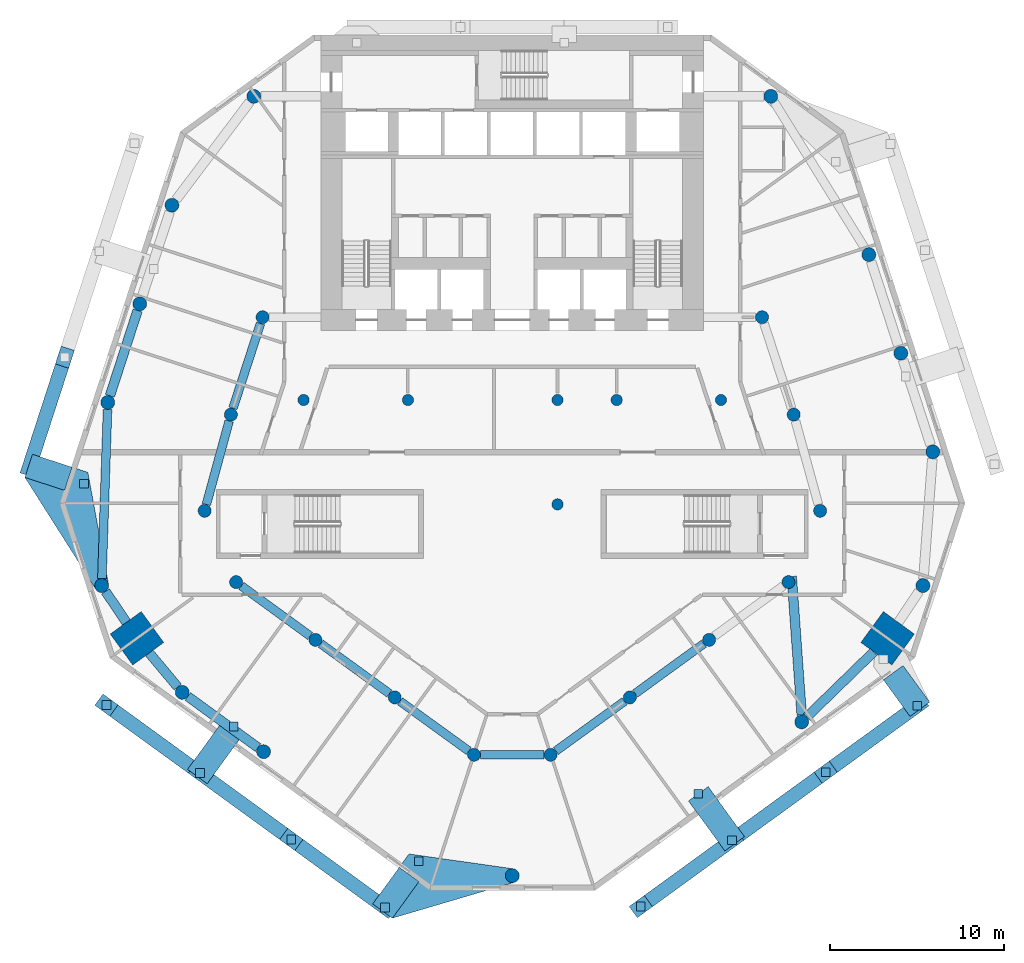
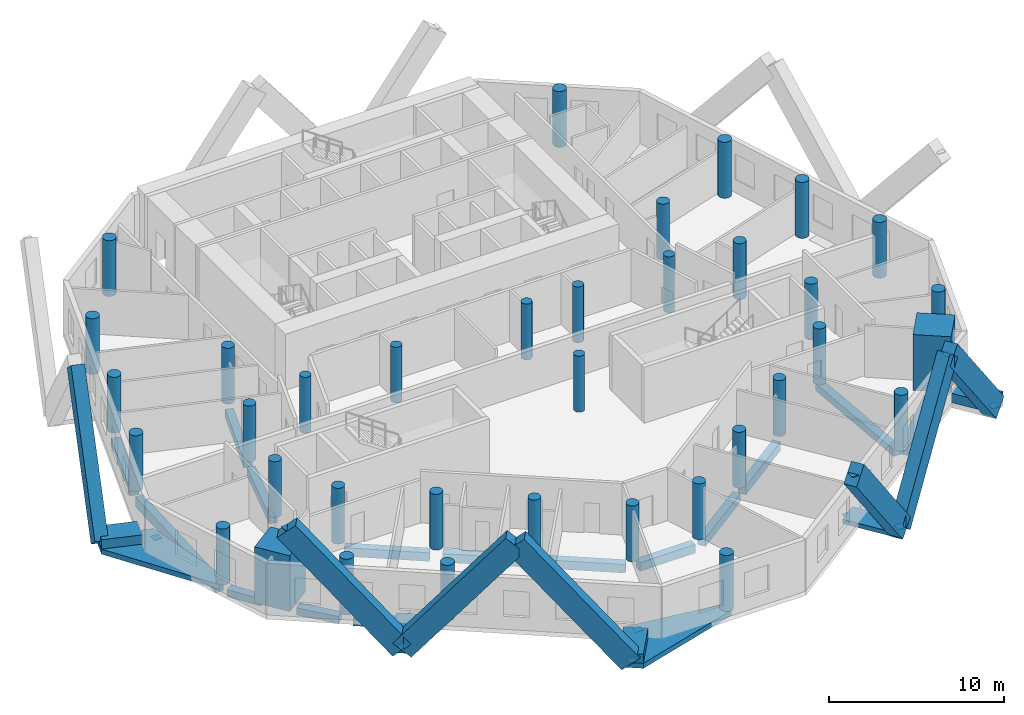
# One storey, part 1 of 10: 36 columns, 15 beams, 14 members, 12 discrete accessories.
"""IFC4 building model written with IfcOpenShell, lengths in metres."""

from ifc_helpers import new_model, si_unit, direction, frame, origin, origin_2d, place, context, subcontext, project, spatial, polyline, rectangle, circle, outline, extrude, material, layer, layer_set, material_profile, profile_set, type_object, element, aggregate, save


model = new_model("IFC4")

# Units and contexts
model_context = context("Model", 3, precision=1e-05, world=origin(), true_north=direction((0.0, 1.0)))
body_context = subcontext(model_context, "Body", "Model", "MODEL_VIEW")
ifc_project = project(units=[si_unit("LENGTHUNIT", "METRE"), si_unit("AREAUNIT", "SQUARE_METRE"), si_unit("VOLUMEUNIT", "CUBIC_METRE"), si_unit("PLANEANGLEUNIT", "RADIAN"), si_unit("MASSUNIT", "GRAM", prefix="KILO")], contexts=[model_context])

# Site, building, storey
site_placement = place(None, origin())
site = spatial("IfcSite", under=ifc_project, at=site_placement, CompositionType="ELEMENT")
building_placement = place(site_placement, origin())
building = spatial("IfcBuilding", under=site, at=building_placement, Name="White Candle Pilgrim Tower", CompositionType="ELEMENT")
storey_placement = place(building_placement, frame((0.0, 0.0, 78.0)))
storey = spatial("IfcBuildingStorey", under=building, at=storey_placement, Name="L16", CompositionType="ELEMENT", Elevation=78.0)

# Columns
ifc_material_1 = material(Name="Concrete C80/95", Category="concrete")
ifc_material_profile_1 = material_profile(ifc_material_1, circle(Radius=0.324951171875, at=origin_2d()), Name="RC-COL D650")
ifc_profile_set_1 = profile_set([ifc_material_profile_1], Name="Concrete C80/95")
column_type_1 = type_object("IfcColumnType", Name="Interior column RC-COL D650 C80/95", PredefinedType="COLUMN", material=ifc_profile_set_1)
for number, where, z_axis, x_axis, name in (
    (1, (58.0, 67.0, 0.0), (0.0, 0.0, 1.0), (1.0, 0.0, 0.0), "L16 column I01"),
    (2, (64.0, 67.0, 0.0), (0.0, 0.0, 1.0), (1.0, 0.0, 0.0), "L16 column I02"),
    (3, (72.60009765625, 61.0, 0.0), (0.0, 0.0, 1.0), (1.0, 0.0, 0.0), "L16 column I03"),
    (4, (72.60009765625, 67.0, 0.0), (0.0, 0.0, 1.0), (1.0, 0.0, 0.0), "L16 column I04"),
    (5, (76.0, 67.0, 0.0), (0.0, 0.0, 1.0), (1.0, 0.0, 0.0), "L16 column I05"),
    (6, (82.0, 67.0, 0.0), (0.0, 0.0, 1.0), (1.0, 0.0, 0.0), "L16 column I06"),
):
    element("IfcColumn", number, at=place(storey_placement, frame(where, z_axis=z_axis, x_axis=x_axis)), inside=storey, type_object=column_type_1, Name=name, PredefinedType="COLUMN", context=body_context, shape_type="SweptSolid", body=[
        extrude(circle(Radius=0.324951171875, at=origin_2d()), origin(), (0.0, 0.0, 1.0), 3.89990234375),
    ])
ifc_material_profile_2 = material_profile(ifc_material_1, rectangle(XDim=2.199951171875, YDim=2.199951171875, at=origin_2d()), Name="RC 2200x2200")
ifc_profile_set_2 = profile_set([ifc_material_profile_2], Name="Concrete C80/95")
column_type_2 = type_object("IfcColumnType", Name="Mega column RC 2200x2200 C80/95", PredefinedType="COLUMN", material=ifc_profile_set_2)
for number, where, z_axis, x_axis, name in (
    (7, (48.419921875, 53.300048828125, 0.0), (0.0, 0.0, 1.0), (-0.809016994375, -0.587785252292, 0.0), "L16 mega column T02"),
    (8, (91.580078125, 53.300048828125, 0.0), (0.0, 0.0, 1.0), (0.809016994375, -0.587785252292, 0.0), "L16 mega column T07"),
):
    element("IfcColumn", number, at=place(storey_placement, frame(where, z_axis=z_axis, x_axis=x_axis)), inside=storey, type_object=column_type_2, Name=name, PredefinedType="COLUMN", context=body_context, shape_type="SweptSolid", body=[
        extrude(rectangle(XDim=2.199951171875, YDim=2.199951171875, at=origin_2d()), origin(), (0.0, 0.0, 1.0), 3.89990234375),
    ])
ifc_material_profile_3 = material_profile(ifc_material_1, circle(Radius=0.39990234375, at=origin_2d()), Name="RC-COL D800")
ifc_profile_set_3 = profile_set([ifc_material_profile_3], Name="Concrete C80/95")
column_type_3 = type_object("IfcColumnType", Name="Perimeter column RC-COL D800 C80/95", PredefinedType="COLUMN", material=ifc_profile_set_3)
for number, where, z_axis, x_axis, name in (
    (9, (46.389892578125, 56.330078125, 0.0), (0.0, 0.0, 1.0), (1.0, 0.0, 0.0), "L16 column T01"),
    (10, (51.02001953125, 50.18994140625, 0.0), (0.0, 0.0, 1.0), (1.0, 0.0, 0.0), "L16 column T03"),
    (11, (55.699951171875, 46.780029296875, 0.0), (0.0, 0.0, 1.0), (1.0, 0.0, 0.0), "L16 column T04"),
    (12, (70.0, 39.64990234375, 0.0), (0.0, 0.0, 1.0), (1.0, 0.0, 0.0), "L16 column T05"),
    (13, (86.639892578125, 48.489990234375, 0.0), (0.0, 0.0, 1.0), (1.0, 0.0, 0.0), "L16 column T06"),
    (14, (93.610107421875, 56.330078125, 0.0), (0.0, 0.0, 1.0), (1.0, 0.0, 0.0), "L16 column T08"),
    (15, (94.179931640625, 64.02001953125, 0.0), (0.0, 0.0, 1.0), (1.0, 0.0, 0.0), "L16 column T09"),
    (16, (92.340087890625, 69.68994140625, 0.0), (0.0, 0.0, 1.0), (1.0, 0.0, 0.0), "L16 column T10"),
    (17, (90.5, 75.360107421875, 0.0), (0.0, 0.0, 1.0), (1.0, 0.0, 0.0), "L16 column T11"),
    (18, (84.860107421875, 84.4599609375, 0.0), (0.0, 0.0, 1.0), (1.0, 0.0, 0.0), "L16 column T12"),
    (19, (55.139892578125, 84.4599609375, 0.0), (0.0, 0.0, 1.0), (1.0, 0.0, 0.0), "L16 column T13"),
    (20, (50.429931640625, 78.199951171875, 0.0), (0.0, 0.0, 1.0), (1.0, 0.0, 0.0), "L16 column T14"),
    (21, (48.580078125, 72.530029296875, 0.0), (0.0, 0.0, 1.0), (1.0, 0.0, 0.0), "L16 column T15"),
    (22, (46.739990234375, 66.860107421875, 0.0), (0.0, 0.0, 1.0), (1.0, 0.0, 0.0), "L16 column T16"),
):
    element("IfcColumn", number, at=place(storey_placement, frame(where, z_axis=z_axis, x_axis=x_axis)), inside=storey, type_object=column_type_3, Name=name, PredefinedType="COLUMN", context=body_context, shape_type="SweptSolid", body=[
        extrude(circle(Radius=0.39990234375, at=origin_2d()), origin(), (0.0, 0.0, 1.0), 3.89990234375),
    ])
ifc_material_profile_4 = material_profile(ifc_material_1, circle(Radius=0.375, at=origin_2d()), Name="RC-COL D750")
ifc_profile_set_4 = profile_set([ifc_material_profile_4], Name="Concrete C80/95")
column_type_4 = type_object("IfcColumnType", Name="Ring column RC-COL D750 C80/95", PredefinedType="COLUMN", material=ifc_profile_set_4)
for number, where, z_axis, x_axis, name in (
    (23, (52.31005859375, 60.6298828125, 0.0), (0.0, 0.0, 1.0), (1.0, 0.0, 0.0), "L16 column R01"),
    (24, (54.1201171875, 56.530029296875, 0.0), (0.0, 0.0, 1.0), (1.0, 0.0, 0.0), "L16 column R02"),
    (25, (58.679931640625, 53.2099609375, 0.0), (0.0, 0.0, 1.0), (1.0, 0.0, 0.0), "L16 column R03"),
    (26, (63.239990234375, 49.89990234375, 0.0), (0.0, 0.0, 1.0), (1.0, 0.0, 0.0), "L16 column R04"),
    (27, (67.800048828125, 46.60009765625, 0.0), (0.0, 0.0, 1.0), (1.0, 0.0, 0.0), "L16 column R05"),
    (28, (72.199951171875, 46.60009765625, 0.0), (0.0, 0.0, 1.0), (1.0, 0.0, 0.0), "L16 column R06"),
    (29, (76.760009765625, 49.89990234375, 0.0), (0.0, 0.0, 1.0), (1.0, 0.0, 0.0), "L16 column R07"),
    (30, (81.320068359375, 53.2099609375, 0.0), (0.0, 0.0, 1.0), (1.0, 0.0, 0.0), "L16 column R08"),
    (31, (85.8798828125, 56.530029296875, 0.0), (0.0, 0.0, 1.0), (1.0, 0.0, 0.0), "L16 column R09"),
    (32, (87.699951171875, 60.6298828125, 0.0), (0.0, 0.0, 1.0), (1.0, 0.0, 0.0), "L16 column R10"),
    (33, (86.179931640625, 66.159912109375, 0.0), (0.0, 0.0, 1.0), (1.0, 0.0, 0.0), "L16 column R11"),
    (34, (84.360107421875, 71.760009765625, 0.0), (0.0, 0.0, 1.0), (1.0, 0.0, 0.0), "L16 column R12"),
    (35, (55.639892578125, 71.760009765625, 0.0), (0.0, 0.0, 1.0), (1.0, 0.0, 0.0), "L16 column R13"),
    (36, (53.820068359375, 66.159912109375, 0.0), (0.0, 0.0, 1.0), (1.0, 0.0, 0.0), "L16 column R14"),
):
    element("IfcColumn", number, at=place(storey_placement, frame(where, z_axis=z_axis, x_axis=x_axis)), inside=storey, type_object=column_type_4, Name=name, PredefinedType="COLUMN", context=body_context, shape_type="SweptSolid", body=[
        extrude(circle(Radius=0.375, at=origin_2d()), origin(), (0.0, 0.0, 1.0), 3.89990234375),
    ])

# Member
ifc_material_2 = material(Name="Concrete C80/95, white", Category="concrete")
ifc_material_profile_5 = material_profile(ifc_material_2, rectangle(XDim=0.800048828125, YDim=1.39990234375, at=origin_2d()), Name="RC-DG 800x1400")
ifc_profile_set_5 = profile_set([ifc_material_profile_5], Name="Concrete C80/95, white")
member_type_1 = type_object("IfcMemberType", Name="Exoskeleton diagonal RC-DG 800x1400 C80/95", PredefinedType="BRACE", material=ifc_profile_set_5)
member_1_placement = place(storey_placement, frame((82.6376953125, 41.685546875, 0.0), z_axis=(-0.517306922547, -0.375827233412, 0.768861130836), x_axis=(0.587766575612, -0.809030563448, 0.0)))
member_1 = element("IfcMember", 37, at=member_1_placement, inside=storey, type_object=member_type_1, Name="Exoskeleton diagonal EX034", PredefinedType="BRACE", context=body_context, shape_type="SweptSolid", body=[
    extrude(rectangle(XDim=0.800048828125, YDim=1.39990234375, at=origin_2d()), origin(), (0.0, 0.0, 1.0), 10.14501953125),
])

member_2_placement = place(storey_placement, frame((82.6376953125, 41.685546875, 0.0), z_axis=(0.525116962729, 0.381515783704, 0.760721948046), x_axis=(-0.58778119674, 0.809019940891, 0.0)))
member_2 = element("IfcMember", 38, at=member_2_placement, inside=storey, type_object=member_type_1, Name="Exoskeleton diagonal EX035", PredefinedType="BRACE", context=body_context, shape_type="SweptSolid", body=[
    extrude(rectangle(XDim=0.800048828125, YDim=1.39990234375, at=origin_2d()), origin(), (0.0, 0.0, 1.0), 10.25341796875),
])

member_3_placement = place(storey_placement, frame((93.284423828125, 49.4208984375, 0.0), z_axis=(-0.518139525382, -0.376459434331, 0.767990707327), x_axis=(0.587794484095, -0.809010286997, 0.0)))
member_3 = element("IfcMember", 39, at=member_3_placement, inside=storey, type_object=member_type_1, Name="Exoskeleton diagonal EX036", PredefinedType="BRACE", context=body_context, shape_type="SweptSolid", body=[
    extrude(rectangle(XDim=0.800048828125, YDim=1.39990234375, at=origin_2d()), origin(), (0.0, 0.0, 1.0), 10.156494140625),
])

member_4_placement = place(storey_placement, frame((52.038818359375, 45.55322265625, 0.0), z_axis=(-0.524686941012, 0.381215808161, 0.761168917876), x_axis=(-0.587793761303, -0.809010812148, 0.0)))
member_4 = element("IfcMember", 40, at=member_4_placement, inside=storey, type_object=member_type_1, Name="Exoskeleton diagonal EX046", PredefinedType="BRACE", context=body_context, shape_type="SweptSolid", body=[
    extrude(rectangle(XDim=0.800048828125, YDim=1.39990234375, at=origin_2d()), origin(), (0.0, 0.0, 1.0), 10.24755859375),
])

member_5_placement = place(storey_placement, frame((52.038818359375, 45.55322265625, 0.0), z_axis=(0.517732381868, -0.376141258015, 0.768421066073), x_axis=(0.58777161318, 0.809026903594, 0.0)))
member_5 = element("IfcMember", 41, at=member_5_placement, inside=storey, type_object=member_type_1, Name="Exoskeleton diagonal EX047", PredefinedType="BRACE", context=body_context, shape_type="SweptSolid", body=[
    extrude(rectangle(XDim=0.800048828125, YDim=1.39990234375, at=origin_2d()), origin(), (0.0, 0.0, 1.0), 10.150634765625),
])

member_6_placement = place(storey_placement, frame((62.685546875, 37.818115234375, 0.0), z_axis=(-0.525516556375, 0.38180444824, 0.760301066867), x_axis=(-0.587779529971, -0.809021151854, 0.0)))
member_6 = element("IfcMember", 42, at=member_6_placement, inside=storey, type_object=member_type_1, Name="Exoskeleton diagonal EX048", PredefinedType="BRACE", context=body_context, shape_type="SweptSolid", body=[
    extrude(rectangle(XDim=0.800048828125, YDim=1.39990234375, at=origin_2d()), origin(), (0.0, 0.0, 1.0), 10.25927734375),
])

member_7_placement = place(storey_placement, frame((42.239501953125, 63.197021484375, 0.0), z_axis=(0.199353448094, 0.613581024203, 0.764052700716), x_axis=(-0.951061578071, 0.309001415396, 0.0)))
element("IfcMember", 43, at=member_7_placement, inside=storey, type_object=member_type_1, Name="Exoskeleton diagonal EX060", PredefinedType="BRACE", context=body_context, shape_type="SweptSolid", body=[
    extrude(rectangle(XDim=0.800048828125, YDim=1.39990234375, at=origin_2d()), origin(), (0.0, 0.0, 1.0), 10.208740234375),
])

ifc_material_3 = material(Name="Concrete C70/85, white", Category="concrete")
ifc_layer_1 = layer(ifc_material_3, 0.300048828125)
ifc_layer_set_1 = layer_set([ifc_layer_1], Name="Node tie strut 3350x1400x300 C70/85")
member_type_2 = type_object("IfcMemberType", Name="Node tie strut 3350x1400x300 C70/85", PredefinedType="STRUT", material=ifc_layer_set_1)
member_8_placement = place(storey_placement, frame((0.0, 0.0, -0.35009765625)))
member_8 = element("IfcMember", 44, at=member_8_placement, inside=storey, type_object=member_type_2, Name="Node tie strut NC040", PredefinedType="STRUT", context=body_context, shape_type="SweptSolid", body=[
    extrude(outline(polyline([(46.057373046875, 56.10791015625), (46.043701171875, 56.1298828125), (46.03125, 56.153076171875), (46.0205078125, 56.177001953125), (46.01123046875, 56.201416015625), (46.003662109375, 56.2265625), (45.997802734375, 56.251953125), (45.993408203125, 56.27783203125), (45.990966796875, 56.3037109375), (45.989990234375, 56.330078125), (45.990966796875, 56.356201171875), (45.993408203125, 56.382080078125), (45.997802734375, 56.407958984375), (46.003662109375, 56.43359375), (46.01123046875, 56.45849609375), (46.0205078125, 56.483154296875), (46.03125, 56.5068359375), (46.043701171875, 56.530029296875), (46.057373046875, 56.55224609375), (46.07275390625, 56.573486328125), (46.08935546875, 56.59375), (46.107177734375, 56.61279296875), (46.126220703125, 56.630615234375), (46.146484375, 56.647216796875), (46.167724609375, 56.66259765625), (46.18994140625, 56.676513671875), (46.213134765625, 56.688720703125), (46.23681640625, 56.69970703125), (46.261474609375, 56.708740234375), (46.28662109375, 56.71630859375), (46.31201171875, 56.722412109375), (46.337890625, 56.7265625), (46.36376953125, 56.72900390625), (46.389892578125, 56.72998046875), (46.416259765625, 56.72900390625), (46.442138671875, 56.7265625), (46.468017578125, 56.722412109375), (46.493408203125, 56.71630859375), (46.5185546875, 56.708740234375), (46.543212890625, 56.69970703125), (46.56689453125, 56.688720703125), (46.590087890625, 56.676513671875), (46.6123046875, 56.66259765625), (46.633544921875, 56.647216796875), (46.65380859375, 56.630615234375), (46.6728515625, 56.61279296875), (46.690673828125, 56.59375), (46.707275390625, 56.573486328125), (46.72265625, 56.55224609375), (46.736328125, 56.530029296875), (46.748779296875, 56.5068359375), (46.759521484375, 56.483154296875), (46.768798828125, 56.45849609375), (46.7763671875, 56.43359375), (46.7822265625, 56.407958984375), (45.59423828125, 62.843017578125), (42.408203125, 63.878173828125), (41.9755859375, 62.546875), (46.057373046875, 56.10791015625)])), origin(), (0.0, 0.0, 1.0), 0.35009765625),
])

member_9_placement = place(storey_placement, origin())
element("IfcMember", 45, at=member_9_placement, inside=storey, type_object=member_type_2, Name="Node tie strut NC040", PredefinedType="STRUT", context=body_context, shape_type="SweptSolid", body=[
    extrude(outline(polyline([(44.258056640625, 61.80517578125), (44.690673828125, 63.13671875), (42.408203125, 63.878173828125), (41.9755859375, 62.546875), (44.258056640625, 61.80517578125)])), origin(), (0.0, 0.0, 1.0), 0.64990234375),
])

ifc_layer_2 = layer(ifc_material_3, 0.300048828125)
ifc_layer_set_2 = layer_set([ifc_layer_2], Name="Node tie strut 3550x1400x300 C70/85")
member_type_3 = type_object("IfcMemberType", Name="Node tie strut 3550x1400x300 C70/85", PredefinedType="STRUT", material=ifc_layer_set_2)
member_10_placement = place(storey_placement, frame((81.741455078125, 42.91943359375, -0.2998046875), z_axis=(0.0, 0.0, 1.0), x_axis=(0.809016994375, 0.587785252292, 0.0)))
member_10 = element("IfcMember", 46, at=member_10_placement, inside=storey, type_object=member_type_3, Name="Node tie strut NC035", PredefinedType="STRUT", context=body_context, shape_type="SweptSolid", body=[
    extrude(rectangle(XDim=1.39990234375, YDim=3.550048828125, at=origin_2d()), origin(), (0.0, 0.0, 1.0), 0.300048828125),
])

member_11_placement = place(storey_placement, origin())
element("IfcMember", 47, at=member_11_placement, inside=storey, type_object=member_type_3, Name="Node tie strut NC036", PredefinedType="STRUT", context=body_context, shape_type="SweptSolid", body=[
    extrude(outline(polyline([(92.864990234375, 48.80712890625), (93.99755859375, 49.6298828125), (92.469482421875, 51.7333984375), (91.3369140625, 50.91064453125), (92.864990234375, 48.80712890625)])), origin(), (0.0, 0.0, 1.0), 0.64990234375),
])

member_12_placement = place(storey_placement, frame((52.935302734375, 46.787109375, -0.2998046875), z_axis=(0.0, 0.0, 1.0), x_axis=(0.809016994375, -0.587785252292, 0.0)))
member_12 = element("IfcMember", 48, at=member_12_placement, inside=storey, type_object=member_type_3, Name="Node tie strut NC037", PredefinedType="STRUT", context=body_context, shape_type="SweptSolid", body=[
    extrude(rectangle(XDim=1.39990234375, YDim=3.550048828125, at=origin_2d()), origin(), (0.0, 0.0, 1.0), 0.300048828125),
])

member_13_placement = place(storey_placement, frame((0.0, 0.0, -0.35009765625)))
member_13 = element("IfcMember", 49, at=member_13_placement, inside=storey, type_object=member_type_3, Name="Node tie strut NC038", PredefinedType="STRUT", context=body_context, shape_type="SweptSolid", body=[
    extrude(outline(polyline([(63.10498046875, 37.204345703125), (70.103515625, 39.263671875), (70.077880859375, 39.2578125), (70.05224609375, 39.25341796875), (70.026123046875, 39.2509765625), (70.0, 39.25), (69.973876953125, 39.2509765625), (69.94775390625, 39.25341796875), (69.922119140625, 39.2578125), (69.896484375, 39.263671875), (69.871337890625, 39.271240234375), (69.846923828125, 39.280517578125), (69.822998046875, 39.291259765625), (69.800048828125, 39.3037109375), (69.77783203125, 39.3173828125), (69.756591796875, 39.332763671875), (69.736328125, 39.349365234375), (69.71728515625, 39.3671875), (69.69921875, 39.38623046875), (69.6826171875, 39.406494140625), (69.66748046875, 39.427734375), (69.653564453125, 39.449951171875), (69.641357421875, 39.47314453125), (69.63037109375, 39.496826171875), (69.62109375, 39.521484375), (69.613525390625, 39.54638671875), (69.607666015625, 39.572021484375), (69.603515625, 39.597900390625), (69.600830078125, 39.623779296875), (69.60009765625, 39.64990234375), (69.600830078125, 39.67626953125), (69.603515625, 39.7021484375), (69.607666015625, 39.72802734375), (69.613525390625, 39.75341796875), (69.62109375, 39.778564453125), (69.63037109375, 39.802978515625), (69.641357421875, 39.826904296875), (69.653564453125, 39.85009765625), (69.66748046875, 39.872314453125), (69.6826171875, 39.8935546875), (69.69921875, 39.913818359375), (69.71728515625, 39.932861328125), (69.736328125, 39.95068359375), (69.756591796875, 39.96728515625), (69.77783203125, 39.982666015625), (69.800048828125, 39.996337890625), (69.822998046875, 40.0087890625), (69.846923828125, 40.01953125), (69.871337890625, 40.02880859375), (69.896484375, 40.036376953125), (69.922119140625, 40.042236328125), (69.94775390625, 40.046630859375), (69.973876953125, 40.049072265625), (70.0, 40.050048828125), (70.026123046875, 40.049072265625), (70.05224609375, 40.046630859375), (64.058837890625, 40.8994140625), (61.972412109375, 38.027099609375), (63.10498046875, 37.204345703125)])), origin(), (0.0, 0.0, 1.0), 0.35009765625),
])

member_14_placement = place(storey_placement, origin())
element("IfcMember", 50, at=member_14_placement, inside=storey, type_object=member_type_3, Name="Node tie strut NC038", PredefinedType="STRUT", context=body_context, shape_type="SweptSolid", body=[
    extrude(outline(polyline([(63.10498046875, 37.204345703125), (64.633056640625, 39.307861328125), (63.50048828125, 40.130615234375), (61.972412109375, 38.027099609375), (63.10498046875, 37.204345703125)])), origin(), (0.0, 0.0, 1.0), 0.64990234375),
])

# Beams
ifc_material_4 = material(Name="Concrete C50/60", Category="concrete")
ifc_material_profile_6 = material_profile(ifc_material_4, rectangle(XDim=0.5, YDim=0.60009765625, at=origin_2d()), Name="RC-BM 500x600")
ifc_profile_set_6 = profile_set([ifc_material_profile_6], Name="Concrete C50/60")
beam_type_1 = type_object("IfcBeamType", Name="Ring beam RC-BM 500x600 C50/60", PredefinedType="BEAM", material=ifc_profile_set_6)
beam_1_placement = place(storey_placement, frame((54.423095703125, 56.309326171875, -0.60009765625), z_axis=(0.808431607518, -0.58859012561, 0.0), x_axis=(0.58859012561, 0.808431607518, 0.0)))
element("IfcBeam", 51, at=beam_1_placement, inside=storey, type_object=beam_type_1, Name="L16 ring beam R01", PredefinedType="BEAM", context=body_context, shape_type="SweptSolid", body=[
    extrude(rectangle(XDim=0.5, YDim=0.60009765625, at=origin_2d()), origin(), (0.0, 0.0, 1.0), 4.890869140625),
])
beam_2_placement = place(storey_placement, frame((58.9833984375, 52.98974609375, -0.60009765625), z_axis=(0.809276033964, -0.587428549572, 0.0), x_axis=(0.587428549572, 0.809276033964, 0.0)))
element("IfcBeam", 52, at=beam_2_placement, inside=storey, type_object=beam_type_1, Name="L16 ring beam R02", PredefinedType="BEAM", context=body_context, shape_type="SweptSolid", body=[
    extrude(rectangle(XDim=0.5, YDim=0.60009765625, at=origin_2d()), origin(), (0.0, 0.0, 1.0), 4.885009765625),
])
beam_3_placement = place(storey_placement, frame((63.543701171875, 49.680419921875, -0.60009765625), z_axis=(0.810079795278, -0.586319644291, 0.0), x_axis=(0.586319644291, 0.810079795278, 0.0)))
element("IfcBeam", 53, at=beam_3_placement, inside=storey, type_object=beam_type_1, Name="L16 ring beam R03", PredefinedType="BEAM", context=body_context, shape_type="SweptSolid", body=[
    extrude(rectangle(XDim=0.5, YDim=0.60009765625, at=origin_2d()), origin(), (0.0, 0.0, 1.0), 4.87939453125),
])
beam_4_placement = place(storey_placement, frame((68.175048828125, 46.60009765625, -0.60009765625), z_axis=(1.0, 0.0, 0.0), x_axis=(0.0, 1.0, 0.0)))
element("IfcBeam", 54, at=beam_4_placement, inside=storey, type_object=beam_type_1, Name="L16 ring beam R04", PredefinedType="BEAM", context=body_context, shape_type="SweptSolid", body=[
    extrude(rectangle(XDim=0.5, YDim=0.60009765625, at=origin_2d()), origin(), (0.0, 0.0, 1.0), 3.64990234375),
])
beam_5_placement = place(storey_placement, frame((72.503662109375, 46.819580078125, -0.60009765625), z_axis=(0.810079795278, 0.586319644291, 0.0), x_axis=(-0.586319644291, 0.810079795278, 0.0)))
element("IfcBeam", 55, at=beam_5_placement, inside=storey, type_object=beam_type_1, Name="L16 ring beam R05", PredefinedType="BEAM", context=body_context, shape_type="SweptSolid", body=[
    extrude(rectangle(XDim=0.5, YDim=0.60009765625, at=origin_2d()), origin(), (0.0, 0.0, 1.0), 4.87939453125),
])
beam_6_placement = place(storey_placement, frame((77.063232421875, 50.1201171875, -0.60009765625), z_axis=(0.809276033964, 0.587428549572, 0.0), x_axis=(-0.587428549572, 0.809276033964, 0.0)))
element("IfcBeam", 56, at=beam_6_placement, inside=storey, type_object=beam_type_1, Name="L16 ring beam R06", PredefinedType="BEAM", context=body_context, shape_type="SweptSolid", body=[
    extrude(rectangle(XDim=0.5, YDim=0.60009765625, at=origin_2d()), origin(), (0.0, 0.0, 1.0), 4.885009765625),
])
beam_7_placement = place(storey_placement, frame((55.524169921875, 71.403564453125, -0.60009765625), z_axis=(-0.309106483996, -0.9510274347, 0.0), x_axis=(0.9510274347, -0.309106483996, 0.0)))
element("IfcBeam", 57, at=beam_7_placement, inside=storey, type_object=beam_type_1, Name="L16 ring beam R12", PredefinedType="BEAM", context=body_context, shape_type="SweptSolid", body=[
    extrude(rectangle(XDim=0.5, YDim=0.60009765625, at=origin_2d()), origin(), (0.0, 0.0, 1.0), 5.138671875),
])
beam_8_placement = place(storey_placement, frame((53.72119140625, 65.79833984375, -0.60009765625), z_axis=(-0.263415907103, -0.964682362172, 0.0), x_axis=(0.964682362172, -0.263415907103, 0.0)))
element("IfcBeam", 58, at=beam_8_placement, inside=storey, type_object=beam_type_1, Name="L16 ring beam R13", PredefinedType="BEAM", context=body_context, shape_type="SweptSolid", body=[
    extrude(rectangle(XDim=0.5, YDim=0.60009765625, at=origin_2d()), origin(), (0.0, 0.0, 1.0), 4.982666015625),
])
ifc_material_profile_7 = material_profile(ifc_material_4, rectangle(XDim=0.5, YDim=0.699951171875, at=origin_2d()), Name="RC-BM 500x700")
ifc_profile_set_7 = profile_set([ifc_material_profile_7], Name="Concrete C50/60")
beam_type_2 = type_object("IfcBeamType", Name="Spandrel beam RC-BM 500x700 C50/60", PredefinedType="BEAM", material=ifc_profile_set_7)
beam_9_placement = place(storey_placement, frame((46.726806640625, 66.46044921875, -0.64990234375), z_axis=(-0.033224659514, -0.999447908598, 0.0), x_axis=(0.999447908598, -0.033224659514, 0.0)))
element("IfcBeam", 59, at=beam_9_placement, inside=storey, type_object=beam_type_2, Name="L16 spandrel beam T16", PredefinedType="BEAM", context=body_context, shape_type="SweptSolid", body=[
    extrude(rectangle(XDim=0.5, YDim=0.699951171875, at=origin_2d()), origin(), (0.0, 0.0, 1.0), 9.736328125),
])
ifc_material_profile_8 = material_profile(ifc_material_4, rectangle(XDim=0.550048828125, YDim=0.5, at=origin_2d()), Name="RC-BM 550x500")
ifc_profile_set_8 = profile_set([ifc_material_profile_8], Name="Concrete C50/60")
beam_type_3 = type_object("IfcBeamType", Name="Spandrel beam RC-BM 550x500 C50/60", PredefinedType="BEAM", material=ifc_profile_set_8)
beam_10_placement = place(storey_placement, frame((46.612548828125, 55.997802734375, -0.550048828125), z_axis=(0.556641005169, -0.830753147069, 0.0), x_axis=(0.830753147069, 0.556641005169, 0.0)))
element("IfcBeam", 60, at=beam_10_placement, inside=storey, type_object=beam_type_3, Name="L16 spandrel beam T01", PredefinedType="BEAM", context=body_context, shape_type="SweptSolid", body=[
    extrude(rectangle(XDim=0.550048828125, YDim=0.5, at=origin_2d()), origin(), (0.0, 0.0, 1.0), 2.146484375),
])
beam_11_placement = place(storey_placement, frame((49.127197265625, 52.4541015625, -0.550048828125), z_axis=(0.641388324436, -0.767216408373, 0.0), x_axis=(0.767216408373, 0.641388324436, 0.0)))
element("IfcBeam", 61, at=beam_11_placement, inside=storey, type_object=beam_type_3, Name="L16 spandrel beam T02", PredefinedType="BEAM", context=body_context, shape_type="SweptSolid", body=[
    extrude(rectangle(XDim=0.550048828125, YDim=0.5, at=origin_2d()), origin(), (0.0, 0.0, 1.0), 2.551513671875),
])
beam_12_placement = place(storey_placement, frame((51.343017578125, 49.95458984375, -0.550048828125), z_axis=(0.808217539001, -0.588884037525, 0.0), x_axis=(0.588884037525, 0.808217539001, 0.0)))
element("IfcBeam", 62, at=beam_12_placement, inside=storey, type_object=beam_type_3, Name="L16 spandrel beam T03", PredefinedType="BEAM", context=body_context, shape_type="SweptSolid", body=[
    extrude(rectangle(XDim=0.550048828125, YDim=0.5, at=origin_2d()), origin(), (0.0, 0.0, 1.0), 4.9912109375),
])
beam_13_placement = place(storey_placement, frame((86.639892578125, 48.889892578125, -0.550048828125), z_axis=(-0.071694624988, 0.997426629255, 0.0), x_axis=(-0.997426629255, -0.071694624988, 0.0)))
element("IfcBeam", 63, at=beam_13_placement, inside=storey, type_object=beam_type_3, Name="L16 spandrel beam T04", PredefinedType="BEAM", context=body_context, shape_type="SweptSolid", body=[
    extrude(rectangle(XDim=0.550048828125, YDim=0.5, at=origin_2d()), origin(), (0.0, 0.0, 1.0), 7.9853515625),
])
beam_14_placement = place(storey_placement, frame((86.926513671875, 48.768798828125, -0.550048828125), z_axis=(0.716462232914, 0.697625880259, 0.0), x_axis=(-0.697625880259, 0.716462232914, 0.0)))
element("IfcBeam", 64, at=beam_14_placement, inside=storey, type_object=beam_type_3, Name="L16 spandrel beam T05", PredefinedType="BEAM", context=body_context, shape_type="SweptSolid", body=[
    extrude(rectangle(XDim=0.550048828125, YDim=0.5, at=origin_2d()), origin(), (0.0, 0.0, 1.0), 5.37890625),
])
beam_15_placement = place(storey_placement, frame((48.45654296875, 72.149658203125, -0.550048828125), z_axis=(-0.308682827488, -0.951165028801, 0.0), x_axis=(0.951165028801, -0.308682827488, 0.0)))
element("IfcBeam", 65, at=beam_15_placement, inside=storey, type_object=beam_type_3, Name="L16 spandrel beam T15", PredefinedType="BEAM", context=body_context, shape_type="SweptSolid", body=[
    extrude(rectangle(XDim=0.550048828125, YDim=0.5, at=origin_2d()), origin(), (0.0, 0.0, 1.0), 5.161376953125),
])

# Discrete accessory
ifc_material_5 = material(Name="Steel S355", Category="steel")
ifc_layer_3 = layer(ifc_material_5, 0.02490234375)
ifc_layer_set_3 = layer_set([ifc_layer_3], Name="Gusset plate 500x500x25 S355")
discrete_accessory_type = type_object("IfcDiscreteAccessoryType", Name="Gusset plate 500x500x25 S355", PredefinedType="BRACKET", material=ifc_layer_set_3)
discrete_accessory_1_placement = place(storey_placement, frame((82.6376953125, 41.685546875, -0.012451171875), z_axis=(0.0, 0.0, 1.0), x_axis=(1.0, 0.0, 0.0)))
discrete_accessory_1 = element("IfcDiscreteAccessory", 66, at=discrete_accessory_1_placement, type_object=discrete_accessory_type, Name="Gusset plate 0037", PredefinedType="BRACKET", context=body_context, shape_type="SweptSolid", body=[
    extrude(rectangle(XDim=0.5, YDim=0.5, at=origin_2d()), origin(), (0.0, 0.0, 1.0), 0.02490234375),
])

placement = place(building_placement, frame((0.0, 0.0, 85.800048828125)))
discrete_accessory_2_placement = place(placement, frame((77.3896484375, 37.872802734375, -0.012451171875), z_axis=(0.0, 0.0, 1.0), x_axis=(1.0, 0.0, 0.0)))
discrete_accessory_2 = element("IfcDiscreteAccessory", 67, at=discrete_accessory_2_placement, type_object=discrete_accessory_type, Name="Gusset plate 0038", PredefinedType="BRACKET", context=body_context, shape_type="SweptSolid", body=[
    extrude(rectangle(XDim=0.5, YDim=0.5, at=origin_2d()), origin(), (0.0, 0.0, 1.0), 0.02490234375),
])

aggregate(member_1, [discrete_accessory_1, discrete_accessory_2])

discrete_accessory_3_placement = place(placement, frame((88.02197265625, 45.597412109375, -0.012451171875), z_axis=(0.0, 0.0, 1.0), x_axis=(1.0, 0.0, 0.0)))
discrete_accessory_3 = element("IfcDiscreteAccessory", 68, at=discrete_accessory_3_placement, type_object=discrete_accessory_type, Name="Gusset plate 0039", PredefinedType="BRACKET", context=body_context, shape_type="SweptSolid", body=[
    extrude(rectangle(XDim=0.5, YDim=0.5, at=origin_2d()), origin(), (0.0, 0.0, 1.0), 0.02490234375),
])

aggregate(member_2, [discrete_accessory_3])

discrete_accessory_4_placement = place(storey_placement, frame((93.284423828125, 49.4208984375, -0.012451171875), z_axis=(0.0, 0.0, 1.0), x_axis=(1.0, 0.0, 0.0)))
discrete_accessory_4 = element("IfcDiscreteAccessory", 69, at=discrete_accessory_4_placement, type_object=discrete_accessory_type, Name="Gusset plate 0040", PredefinedType="BRACKET", context=body_context, shape_type="SweptSolid", body=[
    extrude(rectangle(XDim=0.5, YDim=0.5, at=origin_2d()), origin(), (0.0, 0.0, 1.0), 0.02490234375),
])

aggregate(member_3, [discrete_accessory_4])

discrete_accessory_5_placement = place(storey_placement, frame((52.038818359375, 45.55322265625, -0.012451171875), z_axis=(0.0, 0.0, 1.0), x_axis=(1.0, 0.0, 0.0)))
discrete_accessory_5 = element("IfcDiscreteAccessory", 70, at=discrete_accessory_5_placement, type_object=discrete_accessory_type, Name="Gusset plate 0053", PredefinedType="BRACKET", context=body_context, shape_type="SweptSolid", body=[
    extrude(rectangle(XDim=0.5, YDim=0.5, at=origin_2d()), origin(), (0.0, 0.0, 1.0), 0.02490234375),
])

discrete_accessory_6_placement = place(placement, frame((46.662109375, 49.459716796875, -0.012451171875), z_axis=(0.0, 0.0, 1.0), x_axis=(1.0, 0.0, 0.0)))
discrete_accessory_6 = element("IfcDiscreteAccessory", 71, at=discrete_accessory_6_placement, type_object=discrete_accessory_type, Name="Gusset plate 0054", PredefinedType="BRACKET", context=body_context, shape_type="SweptSolid", body=[
    extrude(rectangle(XDim=0.5, YDim=0.5, at=origin_2d()), origin(), (0.0, 0.0, 1.0), 0.02490234375),
])

aggregate(member_4, [discrete_accessory_5, discrete_accessory_6])

discrete_accessory_7_placement = place(placement, frame((57.294189453125, 41.735107421875, -0.012451171875), z_axis=(0.0, 0.0, 1.0), x_axis=(1.0, 0.0, 0.0)))
discrete_accessory_7 = element("IfcDiscreteAccessory", 72, at=discrete_accessory_7_placement, type_object=discrete_accessory_type, Name="Gusset plate 0055", PredefinedType="BRACKET", context=body_context, shape_type="SweptSolid", body=[
    extrude(rectangle(XDim=0.5, YDim=0.5, at=origin_2d()), origin(), (0.0, 0.0, 1.0), 0.02490234375),
])

aggregate(member_5, [discrete_accessory_7])

discrete_accessory_8_placement = place(storey_placement, frame((62.685546875, 37.818115234375, -0.012451171875), z_axis=(0.0, 0.0, 1.0), x_axis=(1.0, 0.0, 0.0)))
discrete_accessory_8 = element("IfcDiscreteAccessory", 73, at=discrete_accessory_8_placement, type_object=discrete_accessory_type, Name="Gusset plate 0056", PredefinedType="BRACKET", context=body_context, shape_type="SweptSolid", body=[
    extrude(rectangle(XDim=0.5, YDim=0.5, at=origin_2d()), origin(), (0.0, 0.0, 1.0), 0.02490234375),
])

aggregate(member_6, [discrete_accessory_8])

discrete_accessory_9_placement = place(storey_placement, frame((80.697998046875, 44.35546875, -0.162353515625), z_axis=(0.0, 0.0, 1.0), x_axis=(1.0, 0.0, 0.0)))
discrete_accessory_9 = element("IfcDiscreteAccessory", 74, at=discrete_accessory_9_placement, type_object=discrete_accessory_type, Name="Gusset plate 0416", PredefinedType="BRACKET", context=body_context, shape_type="SweptSolid", body=[
    extrude(rectangle(XDim=0.5, YDim=0.5, at=origin_2d()), origin(), (0.0, 0.0, 1.0), 0.02490234375),
])

aggregate(member_10, [discrete_accessory_9])

discrete_accessory_10_placement = place(storey_placement, frame((53.978515625, 48.222900390625, -0.162353515625), z_axis=(0.0, 0.0, 1.0), x_axis=(1.0, 0.0, 0.0)))
discrete_accessory_10 = element("IfcDiscreteAccessory", 75, at=discrete_accessory_10_placement, type_object=discrete_accessory_type, Name="Gusset plate 0418", PredefinedType="BRACKET", context=body_context, shape_type="SweptSolid", body=[
    extrude(rectangle(XDim=0.5, YDim=0.5, at=origin_2d()), origin(), (0.0, 0.0, 1.0), 0.02490234375),
])

aggregate(member_12, [discrete_accessory_10])

discrete_accessory_11_placement = place(storey_placement, frame((64.625244140625, 40.48779296875, -0.162353515625), z_axis=(0.0, 0.0, 1.0), x_axis=(1.0, 0.0, 0.0)))
discrete_accessory_11 = element("IfcDiscreteAccessory", 76, at=discrete_accessory_11_placement, type_object=discrete_accessory_type, Name="Gusset plate 0419", PredefinedType="BRACKET", context=body_context, shape_type="SweptSolid", body=[
    extrude(rectangle(XDim=0.5, YDim=0.5, at=origin_2d()), origin(), (0.0, 0.0, 1.0), 0.02490234375),
])

aggregate(member_13, [discrete_accessory_11])

discrete_accessory_12_placement = place(storey_placement, frame((45.3779296875, 62.17724609375, -0.162353515625), z_axis=(0.0, 0.0, 1.0), x_axis=(1.0, 0.0, 0.0)))
discrete_accessory_12 = element("IfcDiscreteAccessory", 77, at=discrete_accessory_12_placement, type_object=discrete_accessory_type, Name="Gusset plate 0421", PredefinedType="BRACKET", context=body_context, shape_type="SweptSolid", body=[
    extrude(rectangle(XDim=0.5, YDim=0.5, at=origin_2d()), origin(), (0.0, 0.0, 1.0), 0.02490234375),
])

aggregate(member_8, [discrete_accessory_12])

save(model, "model.ifc")
